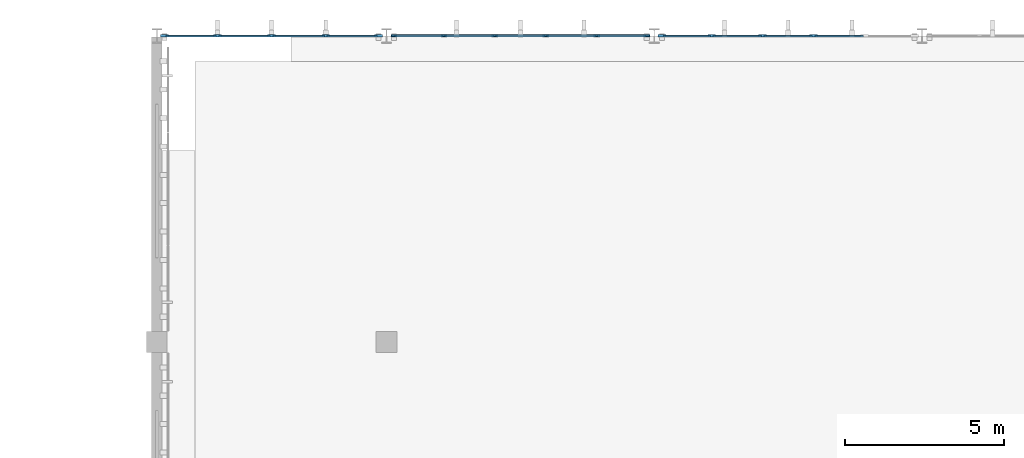
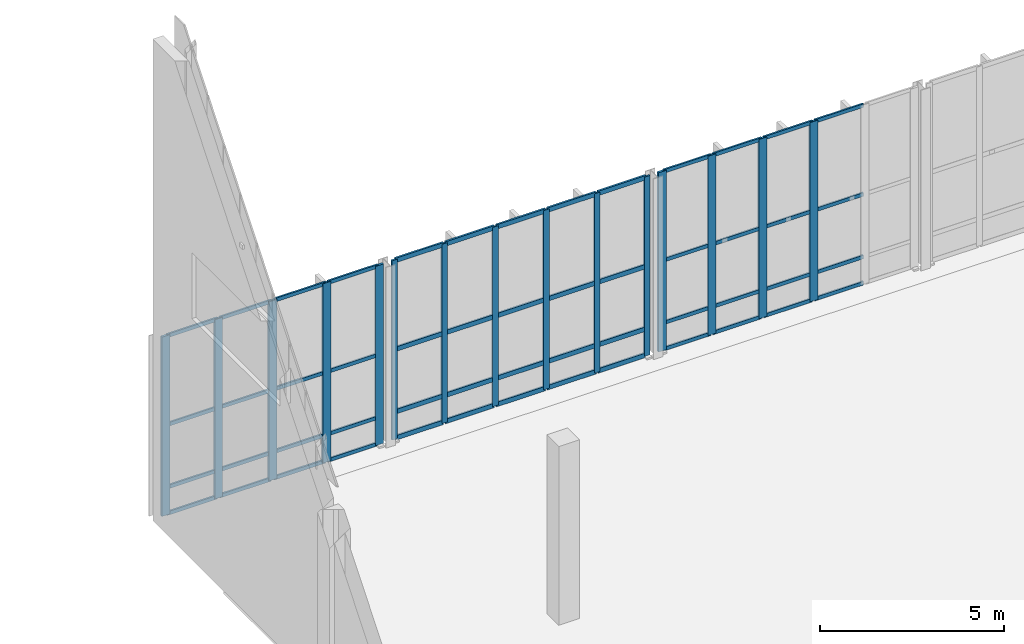
# One storey, part 53 of 110: 67 members, 3 elements without a shape of their own.
"""IFC4 building model written with IfcOpenShell, lengths in metres."""

from ifc_helpers import new_model, si_unit, direction, frame, origin, origin_2d, place, context, subcontext, project, spatial, rectangle, extrude, material, material_profile, profile_set, type_object, element, aggregate, save


model = new_model("IFC4")

# Units and contexts
model_context = context("Model", 3, precision=1e-05, world=origin(), true_north=direction((0.0, 1.0)))
body_context = subcontext(model_context, "Body", "Model", "MODEL_VIEW")
ifc_project = project(units=[si_unit("LENGTHUNIT", "METRE"), si_unit("AREAUNIT", "SQUARE_METRE"), si_unit("VOLUMEUNIT", "CUBIC_METRE"), si_unit("PLANEANGLEUNIT", "RADIAN"), si_unit("MASSUNIT", "GRAM", prefix="KILO")], contexts=[model_context])

# Site, building, storey
site_placement = place(None, origin())
site = spatial("IfcSite", under=ifc_project, at=site_placement, CompositionType="ELEMENT")
building_placement = place(site_placement, origin())
building = spatial("IfcBuilding", under=site, at=building_placement, Name="Tizgana Railside Sports Hall", CompositionType="ELEMENT")
storey_placement = place(building_placement, origin())
storey = spatial("IfcBuildingStorey", under=building, at=storey_placement, Name="L00", CompositionType="ELEMENT", Elevation=0.0)

# Curtain wall, members
ifc_material_1 = material(Name="Anodised aluminium and glass", Category="aluminium")
curtain_wall_type_1 = type_object("IfcCurtainWallType", Name="Unitised Curtain Wall Clinic 1200", PredefinedType="NOTDEFINED", material=ifc_material_1)
curtain_wall_1_placement = place(storey_placement, origin())
curtain_wall_1 = element("IfcCurtainWall", 1, at=curtain_wall_1_placement, inside=storey, type_object=curtain_wall_type_1, Name="L00 Curtain Wall CW-0044", PredefinedType="NOTDEFINED")
ifc_material_2 = material(Name="Anodised aluminium", Category="aluminium")
ifc_material_profile_1 = material_profile(ifc_material_2, rectangle(XDim=0.06005859375, YDim=0.179931640625, at=origin_2d()), Name="Mullion 60x180")
ifc_profile_set_1 = profile_set([ifc_material_profile_1], Name="Anodised aluminium")
member_type_1 = type_object("IfcMemberType", Name="Mullion 60x180", PredefinedType="MULLION", material=ifc_profile_set_1)
member_1_placement = place(storey_placement, frame((141.235107421875, 117.60009765625, 0.044921875), z_axis=(0.0, 0.0, 1.0), x_axis=(0.0, 1.0, 0.0)))
member_1 = element("IfcMember", 2, at=member_1_placement, type_object=member_type_1, Name="CW-05 mullion 1", PredefinedType="MULLION", context=body_context, shape_type="SweptSolid", body=[
    extrude(rectangle(XDim=0.06005859375, YDim=0.179931640625, at=origin_2d()), origin(), (0.0, 0.0, 1.0), 5.955078125),
])
member_2_placement = place(storey_placement, frame((142.802978515625, 117.60009765625, 0.044921875), z_axis=(0.0, 0.0, 1.0), x_axis=(0.0, 1.0, 0.0)))
member_2 = element("IfcMember", 3, at=member_2_placement, type_object=member_type_1, Name="CW-05 mullion 2", PredefinedType="MULLION", context=body_context, shape_type="SweptSolid", body=[
    extrude(rectangle(XDim=0.06005859375, YDim=0.179931640625, at=origin_2d()), origin(), (0.0, 0.0, 1.0), 5.955078125),
])
member_3_placement = place(storey_placement, frame((144.40087890625, 117.60009765625, 0.044921875), z_axis=(0.0, 0.0, 1.0), x_axis=(0.0, 1.0, 0.0)))
member_3 = element("IfcMember", 4, at=member_3_placement, type_object=member_type_1, Name="CW-05 mullion 3", PredefinedType="MULLION", context=body_context, shape_type="SweptSolid", body=[
    extrude(rectangle(XDim=0.06005859375, YDim=0.179931640625, at=origin_2d()), origin(), (0.0, 0.0, 1.0), 5.955078125),
])
member_4_placement = place(storey_placement, frame((145.9990234375, 117.60009765625, 0.044921875), z_axis=(0.0, 0.0, 1.0), x_axis=(0.0, 1.0, 0.0)))
member_4 = element("IfcMember", 5, at=member_4_placement, type_object=member_type_1, Name="CW-05 mullion 4", PredefinedType="MULLION", context=body_context, shape_type="SweptSolid", body=[
    extrude(rectangle(XDim=0.06005859375, YDim=0.179931640625, at=origin_2d()), origin(), (0.0, 0.0, 1.0), 5.955078125),
])
member_5_placement = place(storey_placement, frame((147.596923828125, 117.60009765625, 0.044921875), z_axis=(0.0, 0.0, 1.0), x_axis=(0.0, 1.0, 0.0)))
member_5 = element("IfcMember", 6, at=member_5_placement, type_object=member_type_1, Name="CW-05 mullion 5", PredefinedType="MULLION", context=body_context, shape_type="SweptSolid", body=[
    extrude(rectangle(XDim=0.06005859375, YDim=0.179931640625, at=origin_2d()), origin(), (0.0, 0.0, 1.0), 5.955078125),
])
member_6_placement = place(storey_placement, frame((149.1650390625, 117.60009765625, 0.044921875), z_axis=(0.0, 0.0, 1.0), x_axis=(0.0, 1.0, 0.0)))
member_6 = element("IfcMember", 7, at=member_6_placement, type_object=member_type_1, Name="CW-05 mullion 6", PredefinedType="MULLION", context=body_context, shape_type="SweptSolid", body=[
    extrude(rectangle(XDim=0.06005859375, YDim=0.179931640625, at=origin_2d()), origin(), (0.0, 0.0, 1.0), 5.955078125),
])

curtain_wall_type_2 = type_object("IfcCurtainWallType", Name="Unitised Curtain Wall Foyer 1300", PredefinedType="NOTDEFINED", material=ifc_material_1)
curtain_wall_2_placement = place(storey_placement, origin())
curtain_wall_2 = element("IfcCurtainWall", 8, at=curtain_wall_2_placement, inside=storey, type_object=curtain_wall_type_2, Name="L00 Curtain Wall CW-0041", PredefinedType="NOTDEFINED")
ifc_material_profile_2 = material_profile(ifc_material_2, rectangle(XDim=0.074951171875, YDim=0.25, at=origin_2d()), Name="Mullion 75x250")
ifc_profile_set_2 = profile_set([ifc_material_profile_2], Name="Anodised aluminium")
member_type_2 = type_object("IfcMemberType", Name="Mullion 75x250", PredefinedType="MULLION", material=ifc_profile_set_2)
member_7_placement = place(storey_placement, frame((134.04248046875, 117.60009765625, 0.044921875), z_axis=(0.0, 0.0, 1.0), x_axis=(0.0, 1.0, 0.0)))
member_7 = element("IfcMember", 9, at=member_7_placement, type_object=member_type_2, Name="CW-02 mullion 1", PredefinedType="MULLION", context=body_context, shape_type="SweptSolid", body=[
    extrude(rectangle(XDim=0.074951171875, YDim=0.25, at=origin_2d()), origin(), (0.0, 0.0, 1.0), 5.955078125),
])
member_8_placement = place(storey_placement, frame((135.702392578125, 117.60009765625, 0.044921875), z_axis=(0.0, 0.0, 1.0), x_axis=(0.0, 1.0, 0.0)))
member_8 = element("IfcMember", 10, at=member_8_placement, type_object=member_type_2, Name="CW-02 mullion 2", PredefinedType="MULLION", context=body_context, shape_type="SweptSolid", body=[
    extrude(rectangle(XDim=0.074951171875, YDim=0.25, at=origin_2d()), origin(), (0.0, 0.0, 1.0), 5.955078125),
])
member_9_placement = place(storey_placement, frame((137.39990234375, 117.60009765625, 0.044921875), z_axis=(0.0, 0.0, 1.0), x_axis=(0.0, 1.0, 0.0)))
member_9 = element("IfcMember", 11, at=member_9_placement, type_object=member_type_2, Name="CW-02 mullion 3", PredefinedType="MULLION", context=body_context, shape_type="SweptSolid", body=[
    extrude(rectangle(XDim=0.074951171875, YDim=0.25, at=origin_2d()), origin(), (0.0, 0.0, 1.0), 5.955078125),
])
member_10_placement = place(storey_placement, frame((139.097412109375, 117.60009765625, 0.044921875), z_axis=(0.0, 0.0, 1.0), x_axis=(0.0, 1.0, 0.0)))
member_10 = element("IfcMember", 12, at=member_10_placement, type_object=member_type_2, Name="CW-02 mullion 4", PredefinedType="MULLION", context=body_context, shape_type="SweptSolid", body=[
    extrude(rectangle(XDim=0.074951171875, YDim=0.25, at=origin_2d()), origin(), (0.0, 0.0, 1.0), 5.955078125),
])
member_11_placement = place(storey_placement, frame((140.757568359375, 117.60009765625, 0.044921875), z_axis=(0.0, 0.0, 1.0), x_axis=(0.0, 1.0, 0.0)))
member_11 = element("IfcMember", 13, at=member_11_placement, type_object=member_type_2, Name="CW-02 mullion 5", PredefinedType="MULLION", context=body_context, shape_type="SweptSolid", body=[
    extrude(rectangle(XDim=0.074951171875, YDim=0.25, at=origin_2d()), origin(), (0.0, 0.0, 1.0), 5.955078125),
])

curtain_wall_type_3 = type_object("IfcCurtainWallType", Name="Unitised Curtain Wall EastHall 1500", PredefinedType="NOTDEFINED", material=ifc_material_1)
curtain_wall_3_placement = place(storey_placement, origin())
curtain_wall_3 = element("IfcCurtainWall", 14, at=curtain_wall_3_placement, inside=storey, type_object=curtain_wall_type_3, Name="L00 Curtain Wall CW-0047", PredefinedType="NOTDEFINED")
member_12_placement = place(storey_placement, frame((149.642578125, 117.60009765625, 0.044921875), z_axis=(0.0, 0.0, 1.0), x_axis=(0.0, 1.0, 0.0)))
member_12 = element("IfcMember", 15, at=member_12_placement, type_object=member_type_2, Name="CW-08 mullion 1", PredefinedType="MULLION", context=body_context, shape_type="SweptSolid", body=[
    extrude(rectangle(XDim=0.074951171875, YDim=0.25, at=origin_2d()), origin(), (0.0, 0.0, 1.0), 5.955078125),
])
member_13_placement = place(storey_placement, frame((151.202880859375, 117.60009765625, 0.044921875), z_axis=(0.0, 0.0, 1.0), x_axis=(0.0, 1.0, 0.0)))
member_13 = element("IfcMember", 16, at=member_13_placement, type_object=member_type_2, Name="CW-08 mullion 2", PredefinedType="MULLION", context=body_context, shape_type="SweptSolid", body=[
    extrude(rectangle(XDim=0.074951171875, YDim=0.25, at=origin_2d()), origin(), (0.0, 0.0, 1.0), 5.955078125),
])
member_14_placement = place(storey_placement, frame((152.801025390625, 117.60009765625, 0.044921875), z_axis=(0.0, 0.0, 1.0), x_axis=(0.0, 1.0, 0.0)))
member_14 = element("IfcMember", 17, at=member_14_placement, type_object=member_type_2, Name="CW-08 mullion 3", PredefinedType="MULLION", context=body_context, shape_type="SweptSolid", body=[
    extrude(rectangle(XDim=0.074951171875, YDim=0.25, at=origin_2d()), origin(), (0.0, 0.0, 1.0), 5.955078125),
])
member_15_placement = place(storey_placement, frame((154.39892578125, 117.60009765625, 0.044921875), z_axis=(0.0, 0.0, 1.0), x_axis=(0.0, 1.0, 0.0)))
member_15 = element("IfcMember", 18, at=member_15_placement, type_object=member_type_2, Name="CW-08 mullion 4", PredefinedType="MULLION", context=body_context, shape_type="SweptSolid", body=[
    extrude(rectangle(XDim=0.074951171875, YDim=0.25, at=origin_2d()), origin(), (0.0, 0.0, 1.0), 5.955078125),
])

# Member
ifc_material_profile_3 = material_profile(ifc_material_2, rectangle(XDim=0.054931640625, YDim=0.1201171875, at=origin_2d()), Name="Transom 55x120")
ifc_profile_set_3 = profile_set([ifc_material_profile_3], Name="Anodised aluminium")
member_type_3 = type_object("IfcMemberType", Name="Transom 55x120", PredefinedType="USERDEFINED", material=ifc_profile_set_3)
member_16_placement = place(storey_placement, frame((134.080078125, 117.60009765625, 0.072509765625), z_axis=(1.0, 0.0, 0.0), x_axis=(0.0, 1.0, 0.0)))
member_16 = element("IfcMember", 19, at=member_16_placement, type_object=member_type_3, Name="CW-02 transom 1.1", ObjectType="TRANSOM", PredefinedType="USERDEFINED", context=body_context, shape_type="SweptSolid", body=[
    extrude(rectangle(XDim=0.054931640625, YDim=0.1201171875, at=origin_2d()), origin(), (0.0, 0.0, 1.0), 1.5849609375),
])

member_17_placement = place(storey_placement, frame((134.080078125, 117.60009765625, 0.945068359375), z_axis=(1.0, 0.0, 0.0), x_axis=(0.0, 1.0, 0.0)))
member_17 = element("IfcMember", 20, at=member_17_placement, type_object=member_type_3, Name="CW-02 transom 1.2", ObjectType="TRANSOM", PredefinedType="USERDEFINED", context=body_context, shape_type="SweptSolid", body=[
    extrude(rectangle(XDim=0.054931640625, YDim=0.1201171875, at=origin_2d()), origin(), (0.0, 0.0, 1.0), 1.5849609375),
])

member_18_placement = place(storey_placement, frame((134.080078125, 117.60009765625, 3.0224609375), z_axis=(1.0, 0.0, 0.0), x_axis=(0.0, 1.0, 0.0)))
member_18 = element("IfcMember", 21, at=member_18_placement, type_object=member_type_3, Name="CW-02 transom 1.3", ObjectType="TRANSOM", PredefinedType="USERDEFINED", context=body_context, shape_type="SweptSolid", body=[
    extrude(rectangle(XDim=0.054931640625, YDim=0.1201171875, at=origin_2d()), origin(), (0.0, 0.0, 1.0), 1.5849609375),
])

member_19_placement = place(storey_placement, frame((134.080078125, 117.60009765625, 5.972412109375), z_axis=(1.0, 0.0, 0.0), x_axis=(0.0, 1.0, 0.0)))
member_19 = element("IfcMember", 22, at=member_19_placement, type_object=member_type_3, Name="CW-02 transom 1.4", ObjectType="TRANSOM", PredefinedType="USERDEFINED", context=body_context, shape_type="SweptSolid", body=[
    extrude(rectangle(XDim=0.054931640625, YDim=0.1201171875, at=origin_2d()), origin(), (0.0, 0.0, 1.0), 1.5849609375),
])

member_20_placement = place(storey_placement, frame((135.739990234375, 117.60009765625, 0.072509765625), z_axis=(1.0, 0.0, 0.0), x_axis=(0.0, 1.0, 0.0)))
member_20 = element("IfcMember", 23, at=member_20_placement, type_object=member_type_3, Name="CW-02 transom 2.1", ObjectType="TRANSOM", PredefinedType="USERDEFINED", context=body_context, shape_type="SweptSolid", body=[
    extrude(rectangle(XDim=0.054931640625, YDim=0.1201171875, at=origin_2d()), origin(), (0.0, 0.0, 1.0), 1.62255859375),
])

member_21_placement = place(storey_placement, frame((135.739990234375, 117.60009765625, 0.945068359375), z_axis=(1.0, 0.0, 0.0), x_axis=(0.0, 1.0, 0.0)))
member_21 = element("IfcMember", 24, at=member_21_placement, type_object=member_type_3, Name="CW-02 transom 2.2", ObjectType="TRANSOM", PredefinedType="USERDEFINED", context=body_context, shape_type="SweptSolid", body=[
    extrude(rectangle(XDim=0.054931640625, YDim=0.1201171875, at=origin_2d()), origin(), (0.0, 0.0, 1.0), 1.62255859375),
])

member_22_placement = place(storey_placement, frame((135.739990234375, 117.60009765625, 3.0224609375), z_axis=(1.0, 0.0, 0.0), x_axis=(0.0, 1.0, 0.0)))
member_22 = element("IfcMember", 25, at=member_22_placement, type_object=member_type_3, Name="CW-02 transom 2.3", ObjectType="TRANSOM", PredefinedType="USERDEFINED", context=body_context, shape_type="SweptSolid", body=[
    extrude(rectangle(XDim=0.054931640625, YDim=0.1201171875, at=origin_2d()), origin(), (0.0, 0.0, 1.0), 1.62255859375),
])

member_23_placement = place(storey_placement, frame((135.739990234375, 117.60009765625, 5.972412109375), z_axis=(1.0, 0.0, 0.0), x_axis=(0.0, 1.0, 0.0)))
member_23 = element("IfcMember", 26, at=member_23_placement, type_object=member_type_3, Name="CW-02 transom 2.4", ObjectType="TRANSOM", PredefinedType="USERDEFINED", context=body_context, shape_type="SweptSolid", body=[
    extrude(rectangle(XDim=0.054931640625, YDim=0.1201171875, at=origin_2d()), origin(), (0.0, 0.0, 1.0), 1.62255859375),
])

member_24_placement = place(storey_placement, frame((137.4375, 117.60009765625, 0.072509765625), z_axis=(1.0, 0.0, 0.0), x_axis=(0.0, 1.0, 0.0)))
member_24 = element("IfcMember", 27, at=member_24_placement, type_object=member_type_3, Name="CW-02 transom 3.1", ObjectType="TRANSOM", PredefinedType="USERDEFINED", context=body_context, shape_type="SweptSolid", body=[
    extrude(rectangle(XDim=0.054931640625, YDim=0.1201171875, at=origin_2d()), origin(), (0.0, 0.0, 1.0), 1.62255859375),
])

member_25_placement = place(storey_placement, frame((137.4375, 117.60009765625, 0.945068359375), z_axis=(1.0, 0.0, 0.0), x_axis=(0.0, 1.0, 0.0)))
member_25 = element("IfcMember", 28, at=member_25_placement, type_object=member_type_3, Name="CW-02 transom 3.2", ObjectType="TRANSOM", PredefinedType="USERDEFINED", context=body_context, shape_type="SweptSolid", body=[
    extrude(rectangle(XDim=0.054931640625, YDim=0.1201171875, at=origin_2d()), origin(), (0.0, 0.0, 1.0), 1.62255859375),
])

member_26_placement = place(storey_placement, frame((137.4375, 117.60009765625, 3.0224609375), z_axis=(1.0, 0.0, 0.0), x_axis=(0.0, 1.0, 0.0)))
member_26 = element("IfcMember", 29, at=member_26_placement, type_object=member_type_3, Name="CW-02 transom 3.3", ObjectType="TRANSOM", PredefinedType="USERDEFINED", context=body_context, shape_type="SweptSolid", body=[
    extrude(rectangle(XDim=0.054931640625, YDim=0.1201171875, at=origin_2d()), origin(), (0.0, 0.0, 1.0), 1.62255859375),
])

member_27_placement = place(storey_placement, frame((137.4375, 117.60009765625, 5.972412109375), z_axis=(1.0, 0.0, 0.0), x_axis=(0.0, 1.0, 0.0)))
member_27 = element("IfcMember", 30, at=member_27_placement, type_object=member_type_3, Name="CW-02 transom 3.4", ObjectType="TRANSOM", PredefinedType="USERDEFINED", context=body_context, shape_type="SweptSolid", body=[
    extrude(rectangle(XDim=0.054931640625, YDim=0.1201171875, at=origin_2d()), origin(), (0.0, 0.0, 1.0), 1.62255859375),
])

member_28_placement = place(storey_placement, frame((139.135009765625, 117.60009765625, 0.072509765625), z_axis=(1.0, 0.0, 0.0), x_axis=(0.0, 1.0, 0.0)))
member_28 = element("IfcMember", 31, at=member_28_placement, type_object=member_type_3, Name="CW-02 transom 4.1", ObjectType="TRANSOM", PredefinedType="USERDEFINED", context=body_context, shape_type="SweptSolid", body=[
    extrude(rectangle(XDim=0.054931640625, YDim=0.1201171875, at=origin_2d()), origin(), (0.0, 0.0, 1.0), 1.5849609375),
])

member_29_placement = place(storey_placement, frame((139.135009765625, 117.60009765625, 0.945068359375), z_axis=(1.0, 0.0, 0.0), x_axis=(0.0, 1.0, 0.0)))
member_29 = element("IfcMember", 32, at=member_29_placement, type_object=member_type_3, Name="CW-02 transom 4.2", ObjectType="TRANSOM", PredefinedType="USERDEFINED", context=body_context, shape_type="SweptSolid", body=[
    extrude(rectangle(XDim=0.054931640625, YDim=0.1201171875, at=origin_2d()), origin(), (0.0, 0.0, 1.0), 1.5849609375),
])

member_30_placement = place(storey_placement, frame((139.135009765625, 117.60009765625, 3.0224609375), z_axis=(1.0, 0.0, 0.0), x_axis=(0.0, 1.0, 0.0)))
member_30 = element("IfcMember", 33, at=member_30_placement, type_object=member_type_3, Name="CW-02 transom 4.3", ObjectType="TRANSOM", PredefinedType="USERDEFINED", context=body_context, shape_type="SweptSolid", body=[
    extrude(rectangle(XDim=0.054931640625, YDim=0.1201171875, at=origin_2d()), origin(), (0.0, 0.0, 1.0), 1.5849609375),
])

member_31_placement = place(storey_placement, frame((139.135009765625, 117.60009765625, 5.972412109375), z_axis=(1.0, 0.0, 0.0), x_axis=(0.0, 1.0, 0.0)))
member_31 = element("IfcMember", 34, at=member_31_placement, type_object=member_type_3, Name="CW-02 transom 4.4", ObjectType="TRANSOM", PredefinedType="USERDEFINED", context=body_context, shape_type="SweptSolid", body=[
    extrude(rectangle(XDim=0.054931640625, YDim=0.1201171875, at=origin_2d()), origin(), (0.0, 0.0, 1.0), 1.5849609375),
])

aggregate(curtain_wall_2, [member_7, member_8, member_9, member_10, member_11, member_16, member_17, member_18, member_19, member_20, member_21, member_22, member_23, member_24, member_25, member_26, member_27, member_28, member_29, member_30, member_31])

member_32_placement = place(storey_placement, frame((149.679931640625, 117.60009765625, 0.072509765625), z_axis=(1.0, 0.0, 0.0), x_axis=(0.0, 1.0, 0.0)))
member_32 = element("IfcMember", 35, at=member_32_placement, type_object=member_type_3, Name="CW-08 transom 1.1", ObjectType="TRANSOM", PredefinedType="USERDEFINED", context=body_context, shape_type="SweptSolid", body=[
    extrude(rectangle(XDim=0.054931640625, YDim=0.1201171875, at=origin_2d()), origin(), (0.0, 0.0, 1.0), 1.485595703125),
])

member_33_placement = place(storey_placement, frame((149.679931640625, 117.60009765625, 0.945068359375), z_axis=(1.0, 0.0, 0.0), x_axis=(0.0, 1.0, 0.0)))
member_33 = element("IfcMember", 36, at=member_33_placement, type_object=member_type_3, Name="CW-08 transom 1.2", ObjectType="TRANSOM", PredefinedType="USERDEFINED", context=body_context, shape_type="SweptSolid", body=[
    extrude(rectangle(XDim=0.054931640625, YDim=0.1201171875, at=origin_2d()), origin(), (0.0, 0.0, 1.0), 1.485595703125),
])

member_34_placement = place(storey_placement, frame((149.679931640625, 117.60009765625, 3.0224609375), z_axis=(1.0, 0.0, 0.0), x_axis=(0.0, 1.0, 0.0)))
member_34 = element("IfcMember", 37, at=member_34_placement, type_object=member_type_3, Name="CW-08 transom 1.3", ObjectType="TRANSOM", PredefinedType="USERDEFINED", context=body_context, shape_type="SweptSolid", body=[
    extrude(rectangle(XDim=0.054931640625, YDim=0.1201171875, at=origin_2d()), origin(), (0.0, 0.0, 1.0), 1.485595703125),
])

member_35_placement = place(storey_placement, frame((149.679931640625, 117.60009765625, 5.972412109375), z_axis=(1.0, 0.0, 0.0), x_axis=(0.0, 1.0, 0.0)))
member_35 = element("IfcMember", 38, at=member_35_placement, type_object=member_type_3, Name="CW-08 transom 1.4", ObjectType="TRANSOM", PredefinedType="USERDEFINED", context=body_context, shape_type="SweptSolid", body=[
    extrude(rectangle(XDim=0.054931640625, YDim=0.1201171875, at=origin_2d()), origin(), (0.0, 0.0, 1.0), 1.485595703125),
])

member_36_placement = place(storey_placement, frame((151.240478515625, 117.60009765625, 0.072509765625), z_axis=(1.0, 0.0, 0.0), x_axis=(0.0, 1.0, 0.0)))
member_36 = element("IfcMember", 39, at=member_36_placement, type_object=member_type_3, Name="CW-08 transom 2.1", ObjectType="TRANSOM", PredefinedType="USERDEFINED", context=body_context, shape_type="SweptSolid", body=[
    extrude(rectangle(XDim=0.054931640625, YDim=0.1201171875, at=origin_2d()), origin(), (0.0, 0.0, 1.0), 1.52294921875),
])

member_37_placement = place(storey_placement, frame((151.240478515625, 117.60009765625, 0.945068359375), z_axis=(1.0, 0.0, 0.0), x_axis=(0.0, 1.0, 0.0)))
member_37 = element("IfcMember", 40, at=member_37_placement, type_object=member_type_3, Name="CW-08 transom 2.2", ObjectType="TRANSOM", PredefinedType="USERDEFINED", context=body_context, shape_type="SweptSolid", body=[
    extrude(rectangle(XDim=0.054931640625, YDim=0.1201171875, at=origin_2d()), origin(), (0.0, 0.0, 1.0), 1.52294921875),
])

member_38_placement = place(storey_placement, frame((151.240478515625, 117.60009765625, 3.0224609375), z_axis=(1.0, 0.0, 0.0), x_axis=(0.0, 1.0, 0.0)))
member_38 = element("IfcMember", 41, at=member_38_placement, type_object=member_type_3, Name="CW-08 transom 2.3", ObjectType="TRANSOM", PredefinedType="USERDEFINED", context=body_context, shape_type="SweptSolid", body=[
    extrude(rectangle(XDim=0.054931640625, YDim=0.1201171875, at=origin_2d()), origin(), (0.0, 0.0, 1.0), 1.52294921875),
])

member_39_placement = place(storey_placement, frame((151.240478515625, 117.60009765625, 5.972412109375), z_axis=(1.0, 0.0, 0.0), x_axis=(0.0, 1.0, 0.0)))
member_39 = element("IfcMember", 42, at=member_39_placement, type_object=member_type_3, Name="CW-08 transom 2.4", ObjectType="TRANSOM", PredefinedType="USERDEFINED", context=body_context, shape_type="SweptSolid", body=[
    extrude(rectangle(XDim=0.054931640625, YDim=0.1201171875, at=origin_2d()), origin(), (0.0, 0.0, 1.0), 1.52294921875),
])

member_40_placement = place(storey_placement, frame((152.83837890625, 117.60009765625, 0.072509765625), z_axis=(1.0, 0.0, 0.0), x_axis=(0.0, 1.0, 0.0)))
member_40 = element("IfcMember", 43, at=member_40_placement, type_object=member_type_3, Name="CW-08 transom 3.1", ObjectType="TRANSOM", PredefinedType="USERDEFINED", context=body_context, shape_type="SweptSolid", body=[
    extrude(rectangle(XDim=0.054931640625, YDim=0.1201171875, at=origin_2d()), origin(), (0.0, 0.0, 1.0), 1.523193359375),
])

member_41_placement = place(storey_placement, frame((152.83837890625, 117.60009765625, 0.945068359375), z_axis=(1.0, 0.0, 0.0), x_axis=(0.0, 1.0, 0.0)))
member_41 = element("IfcMember", 44, at=member_41_placement, type_object=member_type_3, Name="CW-08 transom 3.2", ObjectType="TRANSOM", PredefinedType="USERDEFINED", context=body_context, shape_type="SweptSolid", body=[
    extrude(rectangle(XDim=0.054931640625, YDim=0.1201171875, at=origin_2d()), origin(), (0.0, 0.0, 1.0), 1.523193359375),
])

member_42_placement = place(storey_placement, frame((152.83837890625, 117.60009765625, 3.0224609375), z_axis=(1.0, 0.0, 0.0), x_axis=(0.0, 1.0, 0.0)))
member_42 = element("IfcMember", 45, at=member_42_placement, type_object=member_type_3, Name="CW-08 transom 3.3", ObjectType="TRANSOM", PredefinedType="USERDEFINED", context=body_context, shape_type="SweptSolid", body=[
    extrude(rectangle(XDim=0.054931640625, YDim=0.1201171875, at=origin_2d()), origin(), (0.0, 0.0, 1.0), 1.523193359375),
])

member_43_placement = place(storey_placement, frame((152.83837890625, 117.60009765625, 5.972412109375), z_axis=(1.0, 0.0, 0.0), x_axis=(0.0, 1.0, 0.0)))
member_43 = element("IfcMember", 46, at=member_43_placement, type_object=member_type_3, Name="CW-08 transom 3.4", ObjectType="TRANSOM", PredefinedType="USERDEFINED", context=body_context, shape_type="SweptSolid", body=[
    extrude(rectangle(XDim=0.054931640625, YDim=0.1201171875, at=origin_2d()), origin(), (0.0, 0.0, 1.0), 1.523193359375),
])

member_44_placement = place(storey_placement, frame((154.4365234375, 117.60009765625, 0.072509765625), z_axis=(1.0, 0.0, 0.0), x_axis=(0.0, 1.0, 0.0)))
member_44 = element("IfcMember", 47, at=member_44_placement, type_object=member_type_3, Name="CW-08 transom 4.1", ObjectType="TRANSOM", PredefinedType="USERDEFINED", context=body_context, shape_type="SweptSolid", body=[
    extrude(rectangle(XDim=0.054931640625, YDim=0.1201171875, at=origin_2d()), origin(), (0.0, 0.0, 1.0), 1.52294921875),
])

member_45_placement = place(storey_placement, frame((154.4365234375, 117.60009765625, 0.945068359375), z_axis=(1.0, 0.0, 0.0), x_axis=(0.0, 1.0, 0.0)))
member_45 = element("IfcMember", 48, at=member_45_placement, type_object=member_type_3, Name="CW-08 transom 4.2", ObjectType="TRANSOM", PredefinedType="USERDEFINED", context=body_context, shape_type="SweptSolid", body=[
    extrude(rectangle(XDim=0.054931640625, YDim=0.1201171875, at=origin_2d()), origin(), (0.0, 0.0, 1.0), 1.52294921875),
])

member_46_placement = place(storey_placement, frame((154.4365234375, 117.60009765625, 3.0224609375), z_axis=(1.0, 0.0, 0.0), x_axis=(0.0, 1.0, 0.0)))
member_46 = element("IfcMember", 49, at=member_46_placement, type_object=member_type_3, Name="CW-08 transom 4.3", ObjectType="TRANSOM", PredefinedType="USERDEFINED", context=body_context, shape_type="SweptSolid", body=[
    extrude(rectangle(XDim=0.054931640625, YDim=0.1201171875, at=origin_2d()), origin(), (0.0, 0.0, 1.0), 1.52294921875),
])

member_47_placement = place(storey_placement, frame((154.4365234375, 117.60009765625, 5.972412109375), z_axis=(1.0, 0.0, 0.0), x_axis=(0.0, 1.0, 0.0)))
member_47 = element("IfcMember", 50, at=member_47_placement, type_object=member_type_3, Name="CW-08 transom 4.4", ObjectType="TRANSOM", PredefinedType="USERDEFINED", context=body_context, shape_type="SweptSolid", body=[
    extrude(rectangle(XDim=0.054931640625, YDim=0.1201171875, at=origin_2d()), origin(), (0.0, 0.0, 1.0), 1.52294921875),
])

aggregate(curtain_wall_3, [member_12, member_13, member_14, member_15, member_32, member_33, member_34, member_35, member_36, member_37, member_38, member_39, member_40, member_41, member_42, member_43, member_44, member_45, member_46, member_47])

ifc_material_profile_4 = material_profile(ifc_material_2, rectangle(XDim=0.06005859375, YDim=0.14990234375, at=origin_2d()), Name="Transom 60x150")
ifc_profile_set_4 = profile_set([ifc_material_profile_4], Name="Anodised aluminium")
member_type_4 = type_object("IfcMemberType", Name="Transom 60x150", PredefinedType="USERDEFINED", material=ifc_profile_set_4)
member_48_placement = place(storey_placement, frame((141.264892578125, 117.60009765625, 0.074951171875), z_axis=(1.0, 0.0, 0.0), x_axis=(0.0, 1.0, 0.0)))
member_48 = element("IfcMember", 51, at=member_48_placement, type_object=member_type_4, Name="CW-05 transom 1.1", ObjectType="TRANSOM", PredefinedType="USERDEFINED", context=body_context, shape_type="SweptSolid", body=[
    extrude(rectangle(XDim=0.06005859375, YDim=0.14990234375, at=origin_2d()), origin(), (0.0, 0.0, 1.0), 1.508056640625),
])

member_49_placement = place(storey_placement, frame((141.264892578125, 117.60009765625, 0.945068359375), z_axis=(1.0, 0.0, 0.0), x_axis=(0.0, 1.0, 0.0)))
member_49 = element("IfcMember", 52, at=member_49_placement, type_object=member_type_4, Name="CW-05 transom 1.2", ObjectType="TRANSOM", PredefinedType="USERDEFINED", context=body_context, shape_type="SweptSolid", body=[
    extrude(rectangle(XDim=0.06005859375, YDim=0.14990234375, at=origin_2d()), origin(), (0.0, 0.0, 1.0), 1.508056640625),
])

member_50_placement = place(storey_placement, frame((141.264892578125, 117.60009765625, 3.0224609375), z_axis=(1.0, 0.0, 0.0), x_axis=(0.0, 1.0, 0.0)))
member_50 = element("IfcMember", 53, at=member_50_placement, type_object=member_type_4, Name="CW-05 transom 1.3", ObjectType="TRANSOM", PredefinedType="USERDEFINED", context=body_context, shape_type="SweptSolid", body=[
    extrude(rectangle(XDim=0.06005859375, YDim=0.14990234375, at=origin_2d()), origin(), (0.0, 0.0, 1.0), 1.508056640625),
])

member_51_placement = place(storey_placement, frame((141.264892578125, 117.60009765625, 5.969970703125), z_axis=(1.0, 0.0, 0.0), x_axis=(0.0, 1.0, 0.0)))
member_51 = element("IfcMember", 54, at=member_51_placement, type_object=member_type_4, Name="CW-05 transom 1.4", ObjectType="TRANSOM", PredefinedType="USERDEFINED", context=body_context, shape_type="SweptSolid", body=[
    extrude(rectangle(XDim=0.06005859375, YDim=0.14990234375, at=origin_2d()), origin(), (0.0, 0.0, 1.0), 1.508056640625),
])

member_52_placement = place(storey_placement, frame((142.8330078125, 117.60009765625, 0.074951171875), z_axis=(1.0, 0.0, 0.0), x_axis=(0.0, 1.0, 0.0)))
member_52 = element("IfcMember", 55, at=member_52_placement, type_object=member_type_4, Name="CW-05 transom 2.1", ObjectType="TRANSOM", PredefinedType="USERDEFINED", context=body_context, shape_type="SweptSolid", body=[
    extrude(rectangle(XDim=0.06005859375, YDim=0.14990234375, at=origin_2d()), origin(), (0.0, 0.0, 1.0), 1.5380859375),
])

member_53_placement = place(storey_placement, frame((142.8330078125, 117.60009765625, 0.945068359375), z_axis=(1.0, 0.0, 0.0), x_axis=(0.0, 1.0, 0.0)))
member_53 = element("IfcMember", 56, at=member_53_placement, type_object=member_type_4, Name="CW-05 transom 2.2", ObjectType="TRANSOM", PredefinedType="USERDEFINED", context=body_context, shape_type="SweptSolid", body=[
    extrude(rectangle(XDim=0.06005859375, YDim=0.14990234375, at=origin_2d()), origin(), (0.0, 0.0, 1.0), 1.5380859375),
])

member_54_placement = place(storey_placement, frame((142.8330078125, 117.60009765625, 3.0224609375), z_axis=(1.0, 0.0, 0.0), x_axis=(0.0, 1.0, 0.0)))
member_54 = element("IfcMember", 57, at=member_54_placement, type_object=member_type_4, Name="CW-05 transom 2.3", ObjectType="TRANSOM", PredefinedType="USERDEFINED", context=body_context, shape_type="SweptSolid", body=[
    extrude(rectangle(XDim=0.06005859375, YDim=0.14990234375, at=origin_2d()), origin(), (0.0, 0.0, 1.0), 1.5380859375),
])

member_55_placement = place(storey_placement, frame((142.8330078125, 117.60009765625, 5.969970703125), z_axis=(1.0, 0.0, 0.0), x_axis=(0.0, 1.0, 0.0)))
member_55 = element("IfcMember", 58, at=member_55_placement, type_object=member_type_4, Name="CW-05 transom 2.4", ObjectType="TRANSOM", PredefinedType="USERDEFINED", context=body_context, shape_type="SweptSolid", body=[
    extrude(rectangle(XDim=0.06005859375, YDim=0.14990234375, at=origin_2d()), origin(), (0.0, 0.0, 1.0), 1.5380859375),
])

member_56_placement = place(storey_placement, frame((144.430908203125, 117.60009765625, 0.074951171875), z_axis=(1.0, 0.0, 0.0), x_axis=(0.0, 1.0, 0.0)))
member_56 = element("IfcMember", 59, at=member_56_placement, type_object=member_type_4, Name="CW-05 transom 3.1", ObjectType="TRANSOM", PredefinedType="USERDEFINED", context=body_context, shape_type="SweptSolid", body=[
    extrude(rectangle(XDim=0.06005859375, YDim=0.14990234375, at=origin_2d()), origin(), (0.0, 0.0, 1.0), 1.5380859375),
])

member_57_placement = place(storey_placement, frame((144.430908203125, 117.60009765625, 0.945068359375), z_axis=(1.0, 0.0, 0.0), x_axis=(0.0, 1.0, 0.0)))
member_57 = element("IfcMember", 60, at=member_57_placement, type_object=member_type_4, Name="CW-05 transom 3.2", ObjectType="TRANSOM", PredefinedType="USERDEFINED", context=body_context, shape_type="SweptSolid", body=[
    extrude(rectangle(XDim=0.06005859375, YDim=0.14990234375, at=origin_2d()), origin(), (0.0, 0.0, 1.0), 1.5380859375),
])

member_58_placement = place(storey_placement, frame((144.430908203125, 117.60009765625, 3.0224609375), z_axis=(1.0, 0.0, 0.0), x_axis=(0.0, 1.0, 0.0)))
member_58 = element("IfcMember", 61, at=member_58_placement, type_object=member_type_4, Name="CW-05 transom 3.3", ObjectType="TRANSOM", PredefinedType="USERDEFINED", context=body_context, shape_type="SweptSolid", body=[
    extrude(rectangle(XDim=0.06005859375, YDim=0.14990234375, at=origin_2d()), origin(), (0.0, 0.0, 1.0), 1.5380859375),
])

member_59_placement = place(storey_placement, frame((144.430908203125, 117.60009765625, 5.969970703125), z_axis=(1.0, 0.0, 0.0), x_axis=(0.0, 1.0, 0.0)))
member_59 = element("IfcMember", 62, at=member_59_placement, type_object=member_type_4, Name="CW-05 transom 3.4", ObjectType="TRANSOM", PredefinedType="USERDEFINED", context=body_context, shape_type="SweptSolid", body=[
    extrude(rectangle(XDim=0.06005859375, YDim=0.14990234375, at=origin_2d()), origin(), (0.0, 0.0, 1.0), 1.5380859375),
])

member_60_placement = place(storey_placement, frame((146.029052734375, 117.60009765625, 0.074951171875), z_axis=(1.0, 0.0, 0.0), x_axis=(0.0, 1.0, 0.0)))
member_60 = element("IfcMember", 63, at=member_60_placement, type_object=member_type_4, Name="CW-05 transom 4.1", ObjectType="TRANSOM", PredefinedType="USERDEFINED", context=body_context, shape_type="SweptSolid", body=[
    extrude(rectangle(XDim=0.06005859375, YDim=0.14990234375, at=origin_2d()), origin(), (0.0, 0.0, 1.0), 1.537841796875),
])

member_61_placement = place(storey_placement, frame((146.029052734375, 117.60009765625, 0.945068359375), z_axis=(1.0, 0.0, 0.0), x_axis=(0.0, 1.0, 0.0)))
member_61 = element("IfcMember", 64, at=member_61_placement, type_object=member_type_4, Name="CW-05 transom 4.2", ObjectType="TRANSOM", PredefinedType="USERDEFINED", context=body_context, shape_type="SweptSolid", body=[
    extrude(rectangle(XDim=0.06005859375, YDim=0.14990234375, at=origin_2d()), origin(), (0.0, 0.0, 1.0), 1.537841796875),
])

member_62_placement = place(storey_placement, frame((146.029052734375, 117.60009765625, 3.0224609375), z_axis=(1.0, 0.0, 0.0), x_axis=(0.0, 1.0, 0.0)))
member_62 = element("IfcMember", 65, at=member_62_placement, type_object=member_type_4, Name="CW-05 transom 4.3", ObjectType="TRANSOM", PredefinedType="USERDEFINED", context=body_context, shape_type="SweptSolid", body=[
    extrude(rectangle(XDim=0.06005859375, YDim=0.14990234375, at=origin_2d()), origin(), (0.0, 0.0, 1.0), 1.537841796875),
])

member_63_placement = place(storey_placement, frame((146.029052734375, 117.60009765625, 5.969970703125), z_axis=(1.0, 0.0, 0.0), x_axis=(0.0, 1.0, 0.0)))
member_63 = element("IfcMember", 66, at=member_63_placement, type_object=member_type_4, Name="CW-05 transom 4.4", ObjectType="TRANSOM", PredefinedType="USERDEFINED", context=body_context, shape_type="SweptSolid", body=[
    extrude(rectangle(XDim=0.06005859375, YDim=0.14990234375, at=origin_2d()), origin(), (0.0, 0.0, 1.0), 1.537841796875),
])

member_64_placement = place(storey_placement, frame((147.626953125, 117.60009765625, 0.074951171875), z_axis=(1.0, 0.0, 0.0), x_axis=(0.0, 1.0, 0.0)))
member_64 = element("IfcMember", 67, at=member_64_placement, type_object=member_type_4, Name="CW-05 transom 5.1", ObjectType="TRANSOM", PredefinedType="USERDEFINED", context=body_context, shape_type="SweptSolid", body=[
    extrude(rectangle(XDim=0.06005859375, YDim=0.14990234375, at=origin_2d()), origin(), (0.0, 0.0, 1.0), 1.508056640625),
])

member_65_placement = place(storey_placement, frame((147.626953125, 117.60009765625, 0.945068359375), z_axis=(1.0, 0.0, 0.0), x_axis=(0.0, 1.0, 0.0)))
member_65 = element("IfcMember", 68, at=member_65_placement, type_object=member_type_4, Name="CW-05 transom 5.2", ObjectType="TRANSOM", PredefinedType="USERDEFINED", context=body_context, shape_type="SweptSolid", body=[
    extrude(rectangle(XDim=0.06005859375, YDim=0.14990234375, at=origin_2d()), origin(), (0.0, 0.0, 1.0), 1.508056640625),
])

member_66_placement = place(storey_placement, frame((147.626953125, 117.60009765625, 3.0224609375), z_axis=(1.0, 0.0, 0.0), x_axis=(0.0, 1.0, 0.0)))
member_66 = element("IfcMember", 69, at=member_66_placement, type_object=member_type_4, Name="CW-05 transom 5.3", ObjectType="TRANSOM", PredefinedType="USERDEFINED", context=body_context, shape_type="SweptSolid", body=[
    extrude(rectangle(XDim=0.06005859375, YDim=0.14990234375, at=origin_2d()), origin(), (0.0, 0.0, 1.0), 1.508056640625),
])

member_67_placement = place(storey_placement, frame((147.626953125, 117.60009765625, 5.969970703125), z_axis=(1.0, 0.0, 0.0), x_axis=(0.0, 1.0, 0.0)))
member_67 = element("IfcMember", 70, at=member_67_placement, type_object=member_type_4, Name="CW-05 transom 5.4", ObjectType="TRANSOM", PredefinedType="USERDEFINED", context=body_context, shape_type="SweptSolid", body=[
    extrude(rectangle(XDim=0.06005859375, YDim=0.14990234375, at=origin_2d()), origin(), (0.0, 0.0, 1.0), 1.508056640625),
])

aggregate(curtain_wall_1, [member_1, member_2, member_3, member_4, member_5, member_6, member_48, member_49, member_50, member_51, member_52, member_53, member_54, member_55, member_56, member_57, member_58, member_59, member_60, member_61, member_62, member_63, member_64, member_65, member_66, member_67])

save(model, "model.ifc")
